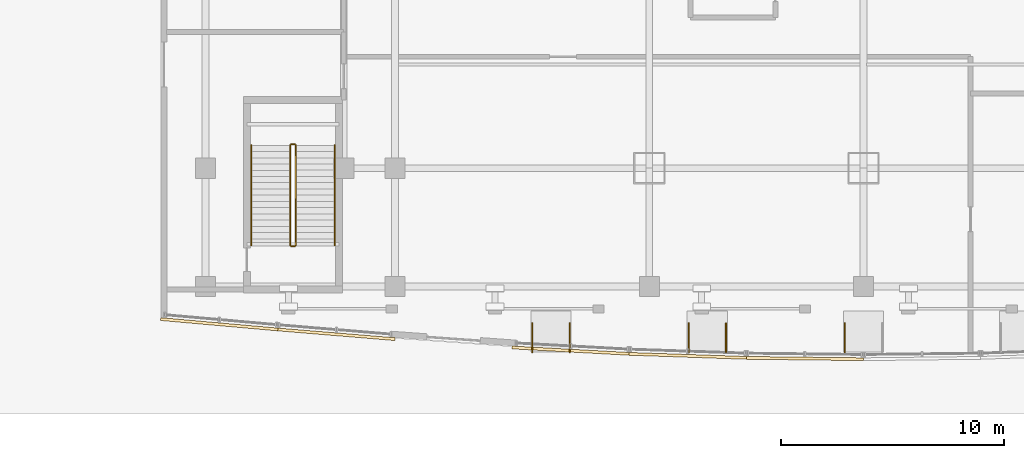
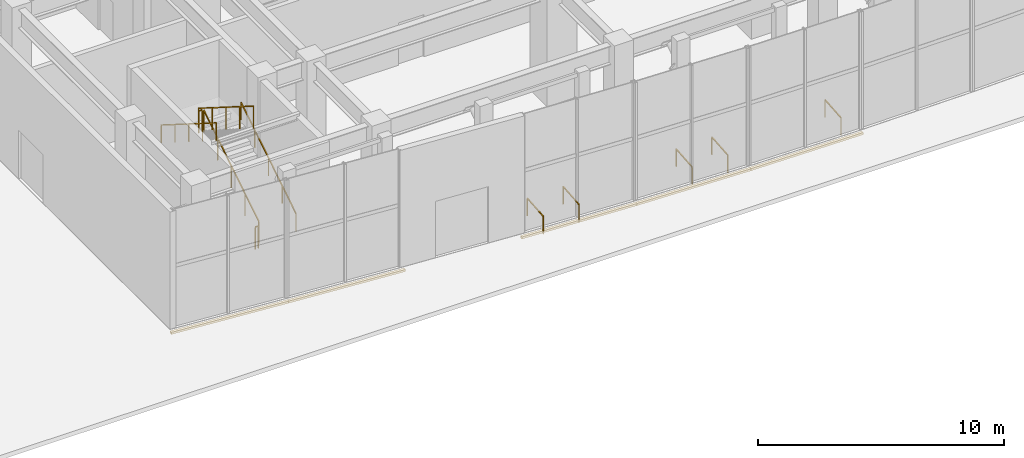
# One storey, part 17 of 23: 11 railings, 5 coverings.
"""IFC4 building model written with IfcOpenShell, lengths in metres."""

from ifc_helpers import new_model, si_unit, direction, frame, origin, origin_2d, place, context, subcontext, project, spatial, polyline, rectangle, outline, extrude, material, layer, layer_set, type_object, element, save


model = new_model("IFC4")

# Units and contexts
model_context = context("Model", 3, precision=1e-05, world=origin(), true_north=direction((0.0, 1.0)))
body_context = subcontext(model_context, "Body", "Model", "MODEL_VIEW")
ifc_project = project(units=[si_unit("LENGTHUNIT", "METRE"), si_unit("AREAUNIT", "SQUARE_METRE"), si_unit("VOLUMEUNIT", "CUBIC_METRE"), si_unit("PLANEANGLEUNIT", "RADIAN"), si_unit("MASSUNIT", "GRAM", prefix="KILO")], contexts=[model_context])

# Site, building, storey
site_placement = place(None, origin())
site = spatial("IfcSite", under=ifc_project, at=site_placement, CompositionType="ELEMENT")
building_placement = place(site_placement, origin())
building = spatial("IfcBuilding", under=site, at=building_placement, Name="Vantalir Tower", CompositionType="ELEMENT")
storey_placement = place(building_placement, origin())
storey = spatial("IfcBuildingStorey", under=building, at=storey_placement, Name="L00", CompositionType="ELEMENT", Elevation=0.0)

# Coverings
ifc_material_1 = material(Name="Anodised champagne aluminium sill fascia", Category="aluminium")
ifc_layer = layer(ifc_material_1, 0.125)
ifc_layer_set = layer_set([ifc_layer], Name="Anodised champagne aluminium sill fascia")
covering_type = type_object("IfcCoveringType", Name="COV-SLAB-FASCIA-125", PredefinedType="CLADDING", material=ifc_layer_set)
covering_1_placement = place(storey_placement, frame((0.0, 0.0, -0.179931640625)))
element("IfcCovering", 1, at=covering_1_placement, inside=storey, type_object=covering_type, Name="L00 South Prow Slab-Edge Fascia 01", PredefinedType="CLADDING", context=body_context, shape_type="SweptSolid", body=[
    extrude(outline(polyline([(0.0, 1.800048828125), (-0.010986328125, 1.675048828125), (5.239013671875, 1.208984375), (5.25, 1.333984375), (0.0, 1.800048828125)])), origin(), (0.0, 0.0, 1.0), 0.10498046875),
])
covering_2_placement = place(storey_placement, frame((0.0, 0.0, -0.179931640625)))
element("IfcCovering", 2, at=covering_2_placement, inside=storey, type_object=covering_type, Name="L00 South Prow Slab-Edge Fascia 02", PredefinedType="CLADDING", context=body_context, shape_type="SweptSolid", body=[
    extrude(outline(polyline([(5.25, 1.333984375), (5.239990234375, 1.208984375), (10.489990234375, 0.77490234375), (10.5, 0.89990234375), (5.25, 1.333984375)])), origin(), (0.0, 0.0, 1.0), 0.10498046875),
])
covering_3_placement = place(storey_placement, frame((0.0, 0.0, -0.179931640625)))
element("IfcCovering", 3, at=covering_3_placement, inside=storey, type_object=covering_type, Name="L00 South Prow Slab-Edge Fascia 04", PredefinedType="CLADDING", context=body_context, shape_type="SweptSolid", body=[
    extrude(outline(polyline([(15.75, 0.527099609375), (15.742919921875, 0.402099609375), (20.992919921875, 0.115966796875), (21.0, 0.240966796875), (15.75, 0.527099609375)])), origin(), (0.0, 0.0, 1.0), 0.10498046875),
])
covering_4_placement = place(storey_placement, frame((0.0, 0.0, -0.179931640625)))
element("IfcCovering", 4, at=covering_4_placement, inside=storey, type_object=covering_type, Name="L00 South Prow Slab-Edge Fascia 05", PredefinedType="CLADDING", context=body_context, shape_type="SweptSolid", body=[
    extrude(outline(polyline([(21.0, 0.240966796875), (20.99609375, 0.115966796875), (26.24609375, -0.06396484375), (26.25, 0.06103515625), (21.0, 0.240966796875)])), origin(), (0.0, 0.0, 1.0), 0.10498046875),
])
covering_5_placement = place(storey_placement, frame((0.0, 0.0, -0.179931640625)))
element("IfcCovering", 5, at=covering_5_placement, inside=storey, type_object=covering_type, Name="L00 South Prow Slab-Edge Fascia 06", PredefinedType="CLADDING", context=body_context, shape_type="SweptSolid", body=[
    extrude(outline(polyline([(26.25, 0.06103515625), (26.2490234375, -0.06396484375), (31.4990234375, -0.125), (31.5, 0.0), (26.25, 0.06103515625)])), origin(), (0.0, 0.0, 1.0), 0.10498046875),
])

# Railings
ifc_material_2 = material(Name="Anodised aluminium and stainless steel guard", Category="steel")
railing_type_1 = type_object("IfcRailingType", Name="RAL-GUARD-1120", PredefinedType="GUARDRAIL", material=ifc_material_2)
railing_1_placement = place(storey_placement, frame((6.050048828125, 5.050048828125, 0.176513671875)))
element("IfcRailing", 6, at=railing_1_placement, inside=storey, type_object=railing_type_1, Name="L00 PST3 stair guard 1", PredefinedType="GUARDRAIL", context=body_context, shape_type="SweptSolid", body=[
    extrude(rectangle(XDim=0.048095703125, YDim=0.048095703125, at=origin_2d()), frame((0.0, 0.0, 1.09619140625), z_axis=(0.0, 0.845997938375, 0.533186166611), x_axis=(-1.0, 0.0, 0.0)), (0.0, 0.0, 1.0), 5.29541015625),
    extrude(rectangle(XDim=0.0419921875, YDim=0.0419921875, at=origin_2d()), origin(), (0.0, 0.0, 1.0), 1.072021484375),
    extrude(rectangle(XDim=0.0419921875, YDim=0.0419921875, at=origin_2d()), frame((0.0, 1.1201171875, 0.705810546875)), (0.0, 0.0, 1.0), 1.072021484375),
    extrude(rectangle(XDim=0.0419921875, YDim=0.0419921875, at=origin_2d()), frame((0.0, 2.239990234375, 1.41162109375)), (0.0, 0.0, 1.0), 1.072021484375),
    extrude(rectangle(XDim=0.0419921875, YDim=0.0419921875, at=origin_2d()), frame((0.0, 3.35986328125, 2.11767578125)), (0.0, 0.0, 1.0), 1.072021484375),
    extrude(rectangle(XDim=0.0419921875, YDim=0.0419921875, at=origin_2d()), frame((0.0, 4.47998046875, 2.823486328125)), (0.0, 0.0, 1.0), 1.072021484375),
])
railing_2_placement = place(storey_placement, frame((6.0, 9.580078125, 3.0)))
element("IfcRailing", 7, at=railing_2_placement, inside=storey, type_object=railing_type_1, Name="L00 PST3 stair guard 2", PredefinedType="GUARDRAIL", context=body_context, shape_type="SweptSolid", body=[
    extrude(rectangle(XDim=0.048095703125, YDim=0.048095703125, at=origin_2d()), frame((0.0, 0.0, 1.09619140625), z_axis=(-1.0, 0.0, 0.0), x_axis=(0.0, -1.0, 0.0)), (0.0, 0.0, 1.0), 0.14990234375),
    extrude(rectangle(XDim=0.0419921875, YDim=0.0419921875, at=origin_2d()), origin(), (0.0, 0.0, 1.0), 1.072021484375),
    extrude(rectangle(XDim=0.0419921875, YDim=0.0419921875, at=origin_2d()), frame((-0.14990234375, 0.0, 0.0)), (0.0, 0.0, 1.0), 1.072021484375),
])
railing_3_placement = place(storey_placement, frame((5.800048828125, 9.530029296875, 3.176513671875)))
element("IfcRailing", 8, at=railing_3_placement, inside=storey, type_object=railing_type_1, Name="L00 PST3 stair guard 3", PredefinedType="GUARDRAIL", context=body_context, shape_type="SweptSolid", body=[
    extrude(rectangle(XDim=0.048095703125, YDim=0.048095703125, at=origin_2d()), frame((0.0, 0.0, 1.09619140625), z_axis=(0.0, -0.845997938375, 0.533186166611), x_axis=(1.0, 0.0, 0.0)), (0.0, 0.0, 1.0), 5.29541015625),
    extrude(rectangle(XDim=0.0419921875, YDim=0.0419921875, at=origin_2d()), origin(), (0.0, 0.0, 1.0), 1.072021484375),
    extrude(rectangle(XDim=0.0419921875, YDim=0.0419921875, at=origin_2d()), frame((0.0, -1.1201171875, 0.705810546875)), (0.0, 0.0, 1.0), 1.072021484375),
    extrude(rectangle(XDim=0.0419921875, YDim=0.0419921875, at=origin_2d()), frame((0.0, -2.239990234375, 1.41162109375)), (0.0, 0.0, 1.0), 1.072021484375),
    extrude(rectangle(XDim=0.0419921875, YDim=0.0419921875, at=origin_2d()), frame((0.0, -3.35986328125, 2.11767578125)), (0.0, 0.0, 1.0), 1.072021484375),
    extrude(rectangle(XDim=0.0419921875, YDim=0.0419921875, at=origin_2d()), frame((0.0, -4.47998046875, 2.823486328125)), (0.0, 0.0, 1.0), 1.072021484375),
])
railing_4_placement = place(storey_placement, frame((6.0, 5.0, 0.0)))
element("IfcRailing", 9, at=railing_4_placement, inside=storey, type_object=railing_type_1, Name="L00 PST3 stair guard 4", PredefinedType="GUARDRAIL", context=body_context, shape_type="SweptSolid", body=[
    extrude(rectangle(XDim=0.048095703125, YDim=0.048095703125, at=origin_2d()), frame((0.0, 0.0, 1.09619140625), z_axis=(-1.0, 0.0, 0.0), x_axis=(0.0, -1.0, 0.0)), (0.0, 0.0, 1.0), 0.14990234375),
    extrude(rectangle(XDim=0.0419921875, YDim=0.0419921875, at=origin_2d()), origin(), (0.0, 0.0, 1.0), 1.072021484375),
    extrude(rectangle(XDim=0.0419921875, YDim=0.0419921875, at=origin_2d()), frame((-0.14990234375, 0.0, 0.0)), (0.0, 0.0, 1.0), 1.072021484375),
])
ifc_material_3 = material(Name="Brushed stainless steel tubular handrail", Category="steel")
railing_type_2 = type_object("IfcRailingType", Name="RAL-HANDRAIL-900", PredefinedType="HANDRAIL", material=ifc_material_3)
railing_5_placement = place(storey_placement, frame((7.800048828125, 5.050048828125, 0.176513671875)))
element("IfcRailing", 10, at=railing_5_placement, inside=storey, type_object=railing_type_2, Name="L00 PST3 stair handrail 1", PredefinedType="HANDRAIL", context=body_context, shape_type="SweptSolid", body=[
    extrude(rectangle(XDim=0.048095703125, YDim=0.048095703125, at=origin_2d()), frame((0.0, 0.0, 0.8759765625), z_axis=(0.0, 0.845997938375, 0.533186166611), x_axis=(-1.0, 0.0, 0.0)), (0.0, 0.0, 1.0), 5.29541015625),
    extrude(rectangle(XDim=0.0419921875, YDim=0.0419921875, at=origin_2d()), origin(), (0.0, 0.0, 1.0), 0.851806640625),
    extrude(rectangle(XDim=0.0419921875, YDim=0.0419921875, at=origin_2d()), frame((0.0, 1.1201171875, 0.705810546875)), (0.0, 0.0, 1.0), 0.851806640625),
    extrude(rectangle(XDim=0.0419921875, YDim=0.0419921875, at=origin_2d()), frame((0.0, 2.239990234375, 1.41162109375)), (0.0, 0.0, 1.0), 0.851806640625),
    extrude(rectangle(XDim=0.0419921875, YDim=0.0419921875, at=origin_2d()), frame((0.0, 3.35986328125, 2.11767578125)), (0.0, 0.0, 1.0), 0.851806640625),
    extrude(rectangle(XDim=0.0419921875, YDim=0.0419921875, at=origin_2d()), frame((0.0, 4.47998046875, 2.823486328125)), (0.0, 0.0, 1.0), 0.851806640625),
])
railing_6_placement = place(storey_placement, frame((4.050048828125, 9.530029296875, 3.176513671875)))
element("IfcRailing", 11, at=railing_6_placement, inside=storey, type_object=railing_type_2, Name="L00 PST3 stair handrail 2", PredefinedType="HANDRAIL", context=body_context, shape_type="SweptSolid", body=[
    extrude(rectangle(XDim=0.048095703125, YDim=0.048095703125, at=origin_2d()), frame((0.0, 0.0, 0.8759765625), z_axis=(0.0, -0.845997938375, 0.533186166611), x_axis=(1.0, 0.0, 0.0)), (0.0, 0.0, 1.0), 5.29541015625),
    extrude(rectangle(XDim=0.0419921875, YDim=0.0419921875, at=origin_2d()), origin(), (0.0, 0.0, 1.0), 0.851806640625),
    extrude(rectangle(XDim=0.0419921875, YDim=0.0419921875, at=origin_2d()), frame((0.0, -1.1201171875, 0.705810546875)), (0.0, 0.0, 1.0), 0.851806640625),
    extrude(rectangle(XDim=0.0419921875, YDim=0.0419921875, at=origin_2d()), frame((0.0, -2.239990234375, 1.41162109375)), (0.0, 0.0, 1.0), 0.851806640625),
    extrude(rectangle(XDim=0.0419921875, YDim=0.0419921875, at=origin_2d()), frame((0.0, -3.35986328125, 2.11767578125)), (0.0, 0.0, 1.0), 0.851806640625),
    extrude(rectangle(XDim=0.0419921875, YDim=0.0419921875, at=origin_2d()), frame((0.0, -4.47998046875, 2.823486328125)), (0.0, 0.0, 1.0), 0.851806640625),
])
for number, where, name in (
    (12, (16.659912109375, 0.2509765625, -0.14990234375), "Accessible Ramp 1 Handrail W"),
    (13, (18.340087890625, 0.2509765625, -0.14990234375), "Accessible Ramp 1 Handrail E"),
    (14, (23.659912109375, 0.2509765625, -0.14990234375), "Accessible Ramp 2 Handrail W"),
    (15, (25.340087890625, 0.2509765625, -0.14990234375), "Accessible Ramp 2 Handrail E"),
    (16, (30.659912109375, 0.2509765625, -0.14990234375), "Accessible Ramp 3 Handrail W"),
):
    element("IfcRailing", number, at=place(storey_placement, frame(where)), inside=storey, type_object=railing_type_2, Name=name, PredefinedType="HANDRAIL", context=body_context, shape_type="SweptSolid", body=[
        extrude(rectangle(XDim=0.048095703125, YDim=0.048095703125, at=origin_2d()), frame((0.0, 0.0, 0.8759765625), z_axis=(0.0, 0.996442978408, 0.0842697501), x_axis=(-1.0, 0.0, 0.0)), (0.0, 0.0, 1.0), 1.3037109375),
        extrude(rectangle(XDim=0.0419921875, YDim=0.0419921875, at=origin_2d()), origin(), (0.0, 0.0, 1.0), 0.851806640625),
        extrude(rectangle(XDim=0.0419921875, YDim=0.0419921875, at=origin_2d()), frame((0.0, 1.299072265625, 0.10986328125)), (0.0, 0.0, 1.0), 0.851806640625),
    ])

save(model, "model.ifc")
